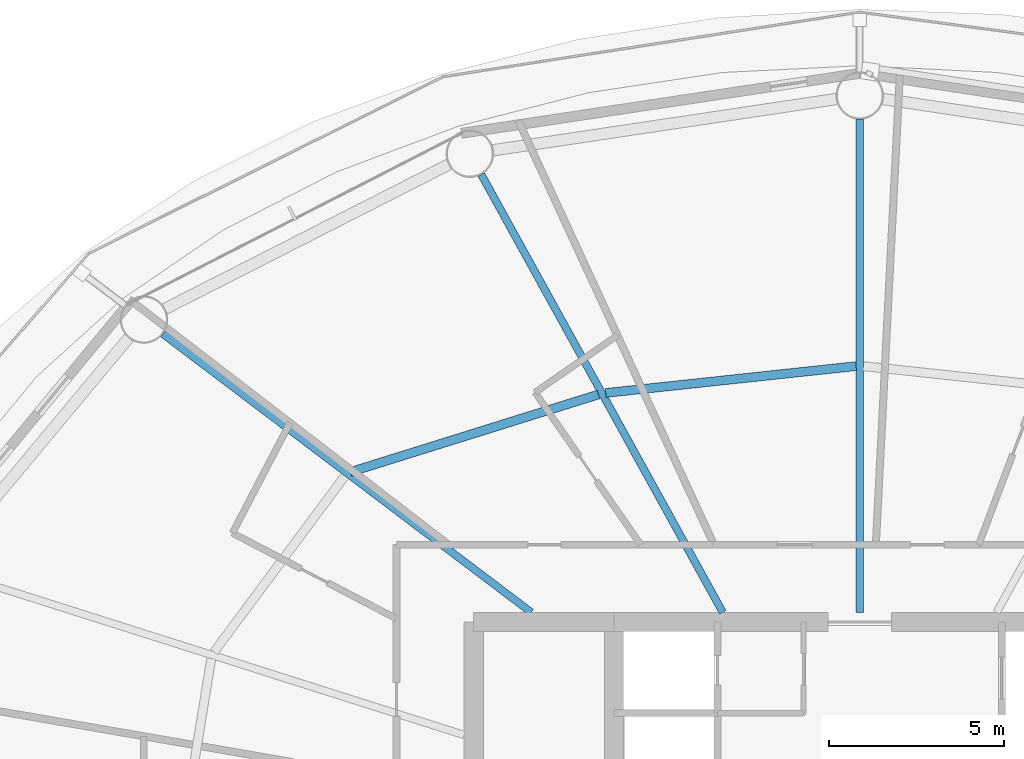
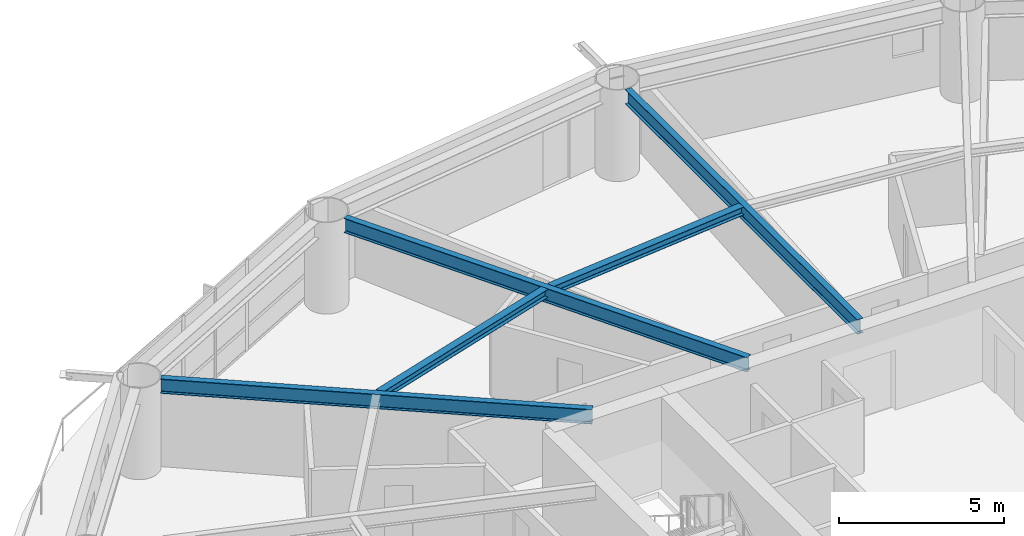
# One storey, part 9 of 24: 5 beams.
"""IFC4 building model written with IfcOpenShell, lengths in metres."""

from ifc_helpers import new_model, si_unit, direction, frame, origin, origin_2d, place, context, subcontext, project, spatial, i_section, extrude, material, material_profile, profile_set, type_object, element, save


model = new_model("IFC4")

# Units and contexts
model_context = context("Model", 3, precision=1e-05, world=origin(), true_north=direction((0.0, 1.0)))
body_context = subcontext(model_context, "Body", "Model", "MODEL_VIEW")
ifc_project = project(units=[si_unit("LENGTHUNIT", "METRE"), si_unit("AREAUNIT", "SQUARE_METRE"), si_unit("VOLUMEUNIT", "CUBIC_METRE"), si_unit("PLANEANGLEUNIT", "RADIAN"), si_unit("MASSUNIT", "GRAM", prefix="KILO")], contexts=[model_context])

# Site, building, storey
site_placement = place(None, origin())
site = spatial("IfcSite", under=ifc_project, at=site_placement, CompositionType="ELEMENT")
building_placement = place(site_placement, origin())
building = spatial("IfcBuilding", under=site, at=building_placement, Name="Sarneth Arch Tower", CompositionType="ELEMENT")
storey_placement = place(building_placement, frame((0.0, 0.0, 91.199951171875)))
storey = spatial("IfcBuildingStorey", under=building, at=storey_placement, Name="L22", CompositionType="ELEMENT", Elevation=91.199951171875)

# Beams
ifc_material_1 = material(Name="Steel S355", Category="steel")
ifc_material_profile_1 = material_profile(ifc_material_1, i_section(OverallWidth=0.25390625, OverallDepth=0.305908203125, WebThickness=0.0087890625, FlangeThickness=0.0146484375, FilletRadius=0.014892578125, at=origin_2d()), Name="W310x79")
ifc_profile_set_1 = profile_set([ifc_material_profile_1], Name="Steel S355")
beam_type_1 = type_object("IfcBeamType", Name="BM-JOIST-310A", PredefinedType="JOIST", material=ifc_profile_set_1)
beam_1_placement = place(storey_placement, frame((47.89501953125, 56.0888671875, 3.22705078125), z_axis=(-0.99429330851, -0.106680910441, 0.0), x_axis=(0.106680910441, -0.99429330851, 0.0)))
element("IfcBeam", 1, at=beam_1_placement, inside=storey, type_object=beam_type_1, Name="L22 Secondary floor joist 05", PredefinedType="JOIST", context=body_context, shape_type="SweptSolid", body=[
    extrude(i_section(OverallWidth=0.25390625, OverallDepth=0.305908203125, WebThickness=0.0087890625, FlangeThickness=0.0146484375, FilletRadius=0.014892578125, at=origin_2d()), origin(), (0.0, 0.0, 1.0), 7.174560546875),
])
beam_2_placement = place(storey_placement, frame((40.5556640625, 55.28076171875, 3.22705078125), z_axis=(-0.9544870201, -0.298252457594, 0.0), x_axis=(0.298252457594, -0.9544870201, 0.0)))
element("IfcBeam", 2, at=beam_2_placement, inside=storey, type_object=beam_type_1, Name="L22 Secondary floor joist 06", PredefinedType="JOIST", context=body_context, shape_type="SweptSolid", body=[
    extrude(i_section(OverallWidth=0.25390625, OverallDepth=0.305908203125, WebThickness=0.0087890625, FlangeThickness=0.0146484375, FilletRadius=0.014892578125, at=origin_2d()), origin(), (0.0, 0.0, 1.0), 7.40234375),
])
ifc_material_2 = material(Name="Steel S355", Category="steel")
ifc_material_profile_2 = material_profile(ifc_material_2, i_section(OverallWidth=0.2109375, OverallDepth=0.5390625, WebThickness=0.01171875, FlangeThickness=0.018798828125, FilletRadius=0.01806640625, at=origin_2d()), Name="W530x109")
ifc_profile_set_2 = profile_set([ifc_material_profile_2], Name="Steel S355")
beam_type_2 = type_object("IfcBeamType", Name="BM-RAD-530B", PredefinedType="BEAM", material=ifc_profile_set_2)
beam_3_placement = place(storey_placement, frame((48.0, 49.074951171875, 3.110595703125), z_axis=(0.0, 1.0, 0.0), x_axis=(-1.0, 0.0, 0.0)))
element("IfcBeam", 3, at=beam_3_placement, inside=storey, type_object=beam_type_2, Name="L22 Radial floor girder 05", PredefinedType="BEAM", context=body_context, shape_type="SweptSolid", body=[
    extrude(i_section(OverallWidth=0.2109375, OverallDepth=0.5390625, WebThickness=0.01171875, FlangeThickness=0.018798828125, FilletRadius=0.01806640625, at=origin_2d()), origin(), (0.0, 0.0, 1.0), 14.050048828125),
])
beam_4_placement = place(storey_placement, frame((44.09716796875, 49.074951171875, 3.110595703125), z_axis=(-0.48301301286, 0.875613173387, 0.0), x_axis=(-0.875613173387, -0.48301301286, 0.0)))
element("IfcBeam", 4, at=beam_4_placement, inside=storey, type_object=beam_type_2, Name="L22 Radial floor girder 06", PredefinedType="BEAM", context=body_context, shape_type="SweptSolid", body=[
    extrude(i_section(OverallWidth=0.2109375, OverallDepth=0.5390625, WebThickness=0.01171875, FlangeThickness=0.018798828125, FilletRadius=0.01806640625, at=origin_2d()), origin(), (0.0, 0.0, 1.0), 14.246826171875),
])
beam_5_placement = place(storey_placement, frame((38.63818359375, 49.074951171875, 3.110595703125), z_axis=(-0.797801476102, 0.602920230818, 0.0), x_axis=(-0.602920230818, -0.797801476102, 0.0)))
element("IfcBeam", 5, at=beam_5_placement, inside=storey, type_object=beam_type_2, Name="L22 Radial floor girder 07", PredefinedType="BEAM", context=body_context, shape_type="SweptSolid", body=[
    extrude(i_section(OverallWidth=0.2109375, OverallDepth=0.5390625, WebThickness=0.01171875, FlangeThickness=0.018798828125, FilletRadius=0.01806640625, at=origin_2d()), origin(), (0.0, 0.0, 1.0), 13.15771484375),
])

save(model, "model.ifc")
